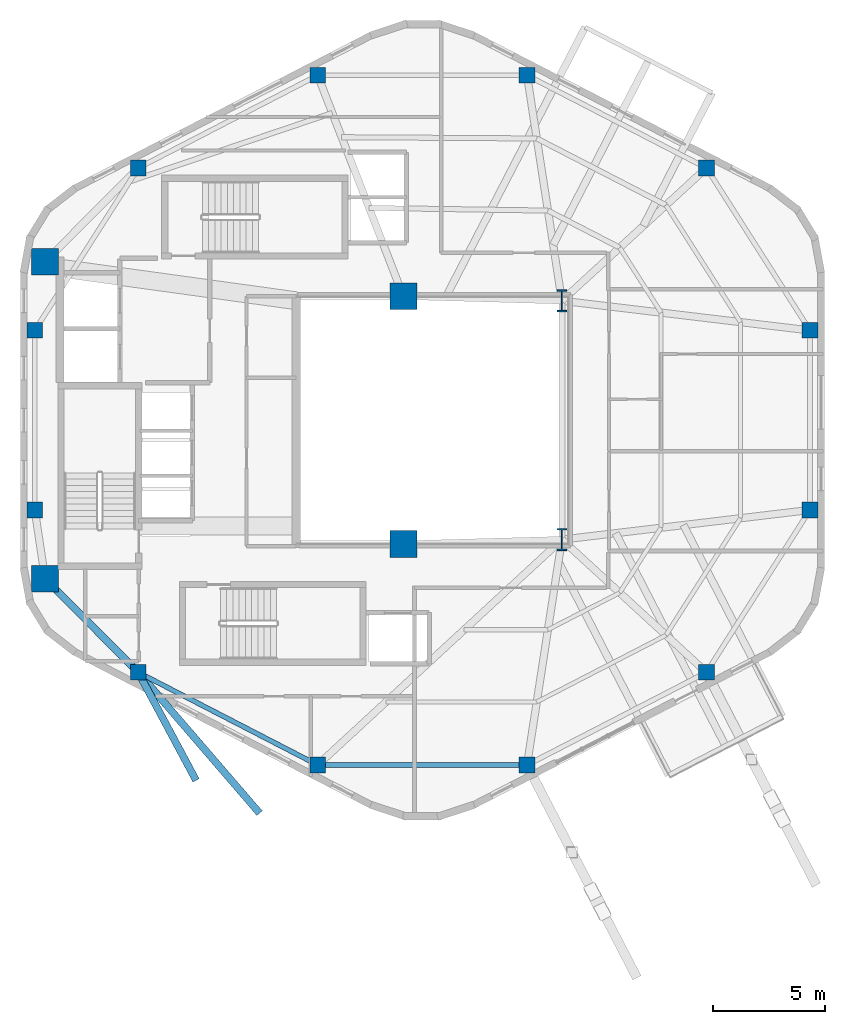
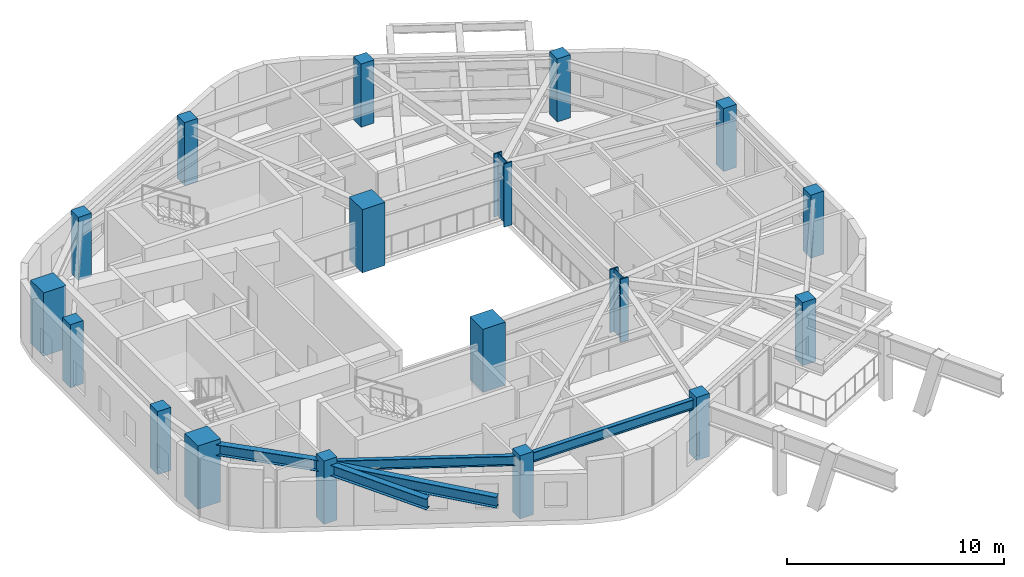
# One storey, part 1 of 10: 18 columns, 5 beams.
"""IFC4 building model written with IfcOpenShell, lengths in metres."""

from ifc_helpers import new_model, si_unit, direction, frame, origin, origin_2d, place, context, subcontext, project, spatial, rectangle, i_section, extrude, material, material_profile, profile_set, type_object, element, save


model = new_model("IFC4")

# Units and contexts
model_context = context("Model", 3, precision=1e-05, world=origin(), true_north=direction((0.0, 1.0)))
body_context = subcontext(model_context, "Body", "Model", "MODEL_VIEW")
ifc_project = project(units=[si_unit("LENGTHUNIT", "METRE"), si_unit("AREAUNIT", "SQUARE_METRE"), si_unit("VOLUMEUNIT", "CUBIC_METRE"), si_unit("PLANEANGLEUNIT", "RADIAN"), si_unit("MASSUNIT", "GRAM", prefix="KILO"), si_unit("THERMODYNAMICTEMPERATUREUNIT", "KELVIN"), si_unit("POWERUNIT", "WATT")], contexts=[model_context])

# Site, building, storey
site_placement = place(None, origin())
site = spatial("IfcSite", under=ifc_project, at=site_placement, CompositionType="ELEMENT")
building_placement = place(site_placement, origin())
building = spatial("IfcBuilding", under=site, at=building_placement, Name="Skarre Station Tower", CompositionType="ELEMENT")
storey_placement = place(building_placement, frame((0.0, 0.0, 224.14990234375)))
storey = spatial("IfcBuildingStorey", under=building, at=storey_placement, Name="L61", CompositionType="ELEMENT", Elevation=224.14990234375)

# Columns
ifc_material_1 = material(Name="Concrete C60/75", Category="concrete")
ifc_material_profile_1 = material_profile(ifc_material_1, rectangle(XDim=1.199951171875, YDim=1.199951171875, at=origin_2d()), Name="Concrete C60/75")
ifc_profile_set_1 = profile_set([ifc_material_profile_1], Name="Concrete C60/75")
column_type_1 = type_object("IfcColumnType", Name="RC Structural Column RC-COL-1200X1200", PredefinedType="COLUMN", material=ifc_profile_set_1)
for number, where, z_axis, x_axis, name in (
    (1, (16.300048828125, 16.89990234375, 0.0), (0.0, 0.0, 1.0), (1.0, 0.0, 0.0), "L61 Core Column CC-SW"),
    (2, (16.300048828125, 31.10009765625, 0.0), (0.0, 0.0, 1.0), (1.0, 0.0, 0.0), "L61 Core Column CC-NW"),
    (3, (32.35009765625, 18.449951171875, 0.0), (0.0, 0.0, 1.0), (1.0, 0.0, 0.0), "L61 Core Column CC-SE"),
    (4, (32.35009765625, 29.550048828125, 0.0), (0.0, 0.0, 1.0), (1.0, 0.0, 0.0), "L61 Core Column CC-NE"),
):
    element("IfcColumn", number, at=place(storey_placement, frame(where, z_axis=z_axis, x_axis=x_axis)), inside=storey, type_object=column_type_1, Name=name, PredefinedType="COLUMN", context=body_context, shape_type="SweptSolid", body=[
        extrude(rectangle(XDim=1.199951171875, YDim=1.199951171875, at=origin_2d()), origin(), (0.0, 0.0, 1.0), 3.550048828125),
    ])
ifc_material_2 = material(Name="Concrete C50/60", Category="concrete")
ifc_material_profile_2 = material_profile(ifc_material_2, rectangle(XDim=0.699951171875, YDim=0.699951171875, at=origin_2d()), Name="Concrete C50/60")
ifc_profile_set_2 = profile_set([ifc_material_profile_2], Name="Concrete C50/60")
column_type_2 = type_object("IfcColumnType", Name="RC Structural Column RC-COL-700X700", PredefinedType="COLUMN", material=ifc_profile_set_2)
for number, where, z_axis, x_axis, name in (
    (5, (45.927001953125, 35.298095703125, 0.0), (0.0, 0.0, 1.0), (1.0, 0.0, 0.0), "L61 Zone 4 Perimeter Column F0C1"),
    (6, (37.888916015625, 39.447021484375, 0.0), (0.0, 0.0, 1.0), (1.0, 0.0, 0.0), "L61 Zone 4 Perimeter Column F0C2"),
    (7, (28.510986328125, 39.447021484375, 0.0), (0.0, 0.0, 1.0), (1.0, 0.0, 0.0), "L61 Zone 4 Perimeter Column F1C1"),
    (8, (20.472900390625, 35.298095703125, 0.0), (0.0, 0.0, 1.0), (1.0, 0.0, 0.0), "L61 Zone 4 Perimeter Column F1C2"),
    (9, (15.8369140625, 28.02099609375, 0.0), (0.0, 0.0, 1.0), (1.0, 0.0, 0.0), "L61 Zone 4 Perimeter Column F2C1"),
    (10, (15.8369140625, 19.97900390625, 0.0), (0.0, 0.0, 1.0), (1.0, 0.0, 0.0), "L61 Zone 4 Perimeter Column F2C2"),
    (11, (20.472900390625, 12.701904296875, 0.0), (0.0, 0.0, 1.0), (1.0, 0.0, 0.0), "L61 Zone 4 Perimeter Column F3C1"),
    (12, (28.510986328125, 8.552978515625, 0.0), (0.0, 0.0, 1.0), (1.0, 0.0, 0.0), "L61 Zone 4 Perimeter Column F3C2"),
    (13, (37.888916015625, 8.552978515625, 0.0), (0.0, 0.0, 1.0), (1.0, 0.0, 0.0), "L61 Zone 4 Perimeter Column F4C1"),
    (14, (45.927001953125, 12.701904296875, 0.0), (0.0, 0.0, 1.0), (1.0, 0.0, 0.0), "L61 Zone 4 Perimeter Column F4C2"),
    (15, (50.56298828125, 19.97900390625, 0.0), (0.0, 0.0, 1.0), (1.0, 0.0, 0.0), "L61 Zone 4 Perimeter Column F5C1"),
    (16, (50.56298828125, 28.02099609375, 0.0), (0.0, 0.0, 1.0), (1.0, 0.0, 0.0), "L61 Zone 4 Perimeter Column F5C2"),
):
    element("IfcColumn", number, at=place(storey_placement, frame(where, z_axis=z_axis, x_axis=x_axis)), inside=storey, type_object=column_type_2, Name=name, PredefinedType="COLUMN", context=body_context, shape_type="SweptSolid", body=[
        extrude(rectangle(XDim=0.699951171875, YDim=0.699951171875, at=origin_2d()), origin(), (0.0, 0.0, 1.0), 3.550048828125),
    ])
ifc_material_3 = material(Name="Steel ASTM A913 Grade 65", Category="steel")
ifc_material_profile_3 = material_profile(ifc_material_3, i_section(OverallWidth=0.430908203125, OverallDepth=0.987060546875, WebThickness=0.033935546875, FlangeThickness=0.06201171875, at=origin_2d()), Name="Steel ASTM A913 Grade 65")
ifc_profile_set_3 = profile_set([ifc_material_profile_3], Name="Steel ASTM A913 Grade 65")
column_type_3 = type_object("IfcColumnType", Name="Steel Column W36X441", PredefinedType="COLUMN", material=ifc_profile_set_3)
for number, where, z_axis, x_axis, name in (
    (17, (39.449951171875, 18.64990234375, 0.0), (0.0, 0.0, 1.0), (1.0, 0.0, 0.0), "L61 Atrium Spine Column AC-SE"),
    (18, (39.449951171875, 29.35009765625, 0.0), (0.0, 0.0, 1.0), (1.0, 0.0, 0.0), "L61 Atrium Spine Column AC-NE"),
):
    element("IfcColumn", number, at=place(storey_placement, frame(where, z_axis=z_axis, x_axis=x_axis)), inside=storey, type_object=column_type_3, Name=name, PredefinedType="COLUMN", context=body_context, shape_type="SweptSolid", body=[
        extrude(i_section(OverallWidth=0.430908203125, OverallDepth=0.987060546875, WebThickness=0.033935546875, FlangeThickness=0.06201171875, at=origin_2d()), origin(), (0.0, 0.0, 1.0), 3.550048828125),
    ])

# Beams
ifc_material_4 = material(Name="Steel ASTM A992 Grade 50", Category="steel")
ifc_material_profile_4 = material_profile(ifc_material_4, i_section(OverallWidth=0.323974609375, OverallDepth=0.611083984375, WebThickness=0.012939453125, FlangeThickness=0.01904296875, at=origin_2d()), Name="Steel ASTM A992 Grade 50")
ifc_profile_set_4 = profile_set([ifc_material_profile_4], Name="Steel ASTM A992 Grade 50")
beam_type_1 = type_object("IfcBeamType", Name="Steel Beam W24X104", PredefinedType="BEAM", material=ifc_profile_set_4)
beam_1_placement = place(storey_placement, frame((16.300048828125, 16.89990234375, 2.985107421875), z_axis=(0.704979413242, -0.709227768002, 0.0), x_axis=(0.709227768002, 0.704979413242, 0.0)))
element("IfcBeam", 19, at=beam_1_placement, inside=storey, type_object=beam_type_1, Name="L61 Radial Floor Girder F3C1", PredefinedType="BEAM", context=body_context, shape_type="SweptSolid", body=[
    extrude(i_section(OverallWidth=0.323974609375, OverallDepth=0.611083984375, WebThickness=0.012939453125, FlangeThickness=0.01904296875, at=origin_2d()), origin(), (0.0, 0.0, 1.0), 5.919189453125),
])
beam_2_placement = place(storey_placement, frame((20.472900390625, 12.701904296875, 2.899169921875), z_axis=(0.472127588492, -0.881530226473, 0.0), x_axis=(0.881530226473, 0.472127588492, 0.0)))
element("IfcBeam", 20, at=beam_2_placement, inside=storey, type_object=beam_type_1, Name="L61 TB-L62-F3 Center Outrigger Beam", PredefinedType="BEAM", context=body_context, shape_type="SweptSolid", body=[
    extrude(i_section(OverallWidth=0.323974609375, OverallDepth=0.611083984375, WebThickness=0.012939453125, FlangeThickness=0.01904296875, at=origin_2d()), origin(), (0.0, 0.0, 1.0), 5.488037109375),
])
beam_3_placement = place(storey_placement, frame((20.472900390625, 12.701904296875, 2.899169921875), z_axis=(0.652865942718, -0.757473472036, 0.0), x_axis=(0.757473472036, 0.652865942718, 0.0)))
element("IfcBeam", 21, at=beam_3_placement, inside=storey, type_object=beam_type_1, Name="L61 TB-L62-F3 Outrigger Beam 2", PredefinedType="BEAM", context=body_context, shape_type="SweptSolid", body=[
    extrude(i_section(OverallWidth=0.323974609375, OverallDepth=0.611083984375, WebThickness=0.012939453125, FlangeThickness=0.01904296875, at=origin_2d()), origin(), (0.0, 0.0, 1.0), 8.324951171875),
])
ifc_material_profile_5 = material_profile(ifc_material_4, i_section(OverallWidth=0.214111328125, OverallDepth=0.549072265625, WebThickness=0.014892578125, FlangeThickness=0.02392578125, at=origin_2d()), Name="Steel ASTM A992 Grade 50")
ifc_profile_set_5 = profile_set([ifc_material_profile_5], Name="Steel ASTM A992 Grade 50")
beam_type_2 = type_object("IfcBeamType", Name="Steel Spandrel W21X93", PredefinedType="SPANDREL", material=ifc_profile_set_5)
beam_4_placement = place(storey_placement, frame((20.472900390625, 12.701904296875, 3.01611328125), z_axis=(0.888610011727, -0.458663544505, 0.0), x_axis=(0.458663544505, 0.888610011727, 0.0)))
element("IfcBeam", 22, at=beam_4_placement, inside=storey, type_object=beam_type_2, Name="L61 Facet Spandrel Beam 7", PredefinedType="SPANDREL", context=body_context, shape_type="SweptSolid", body=[
    extrude(i_section(OverallWidth=0.214111328125, OverallDepth=0.549072265625, WebThickness=0.014892578125, FlangeThickness=0.02392578125, at=origin_2d()), origin(), (0.0, 0.0, 1.0), 9.045654296875),
])
beam_5_placement = place(storey_placement, frame((28.510986328125, 8.552978515625, 3.01611328125), z_axis=(1.0, 0.0, 0.0), x_axis=(0.0, 1.0, 0.0)))
element("IfcBeam", 23, at=beam_5_placement, inside=storey, type_object=beam_type_2, Name="L61 Facet Spandrel Beam 8", PredefinedType="SPANDREL", context=body_context, shape_type="SweptSolid", body=[
    extrude(i_section(OverallWidth=0.214111328125, OverallDepth=0.549072265625, WebThickness=0.014892578125, FlangeThickness=0.02392578125, at=origin_2d()), origin(), (0.0, 0.0, 1.0), 9.3779296875),
])

save(model, "model.ifc")
